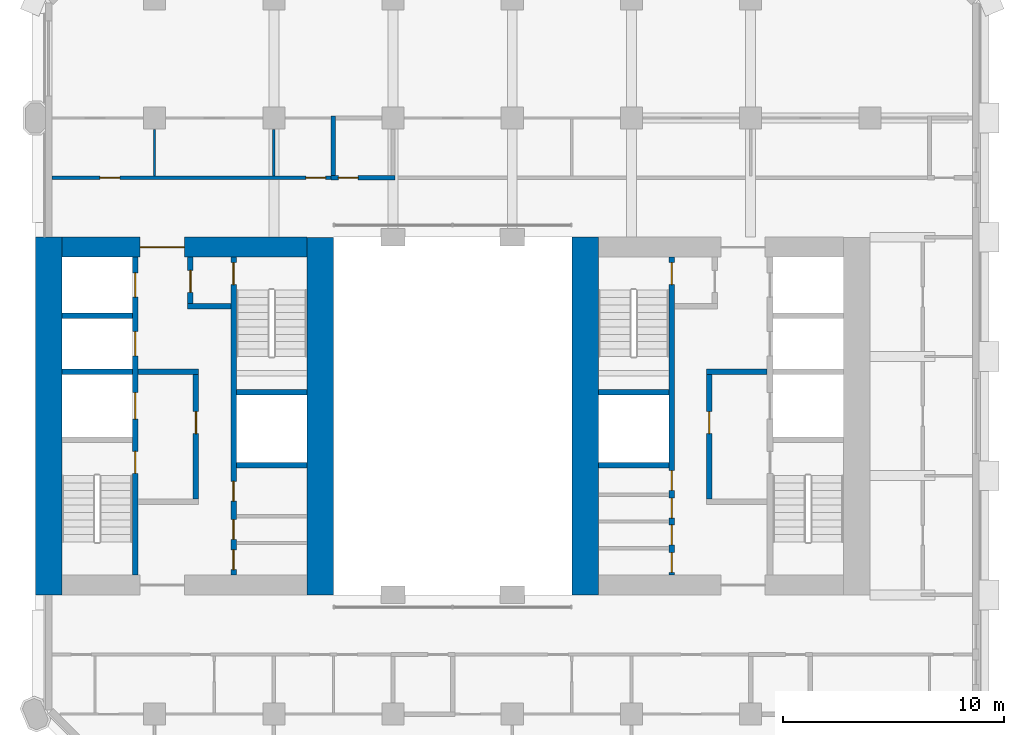
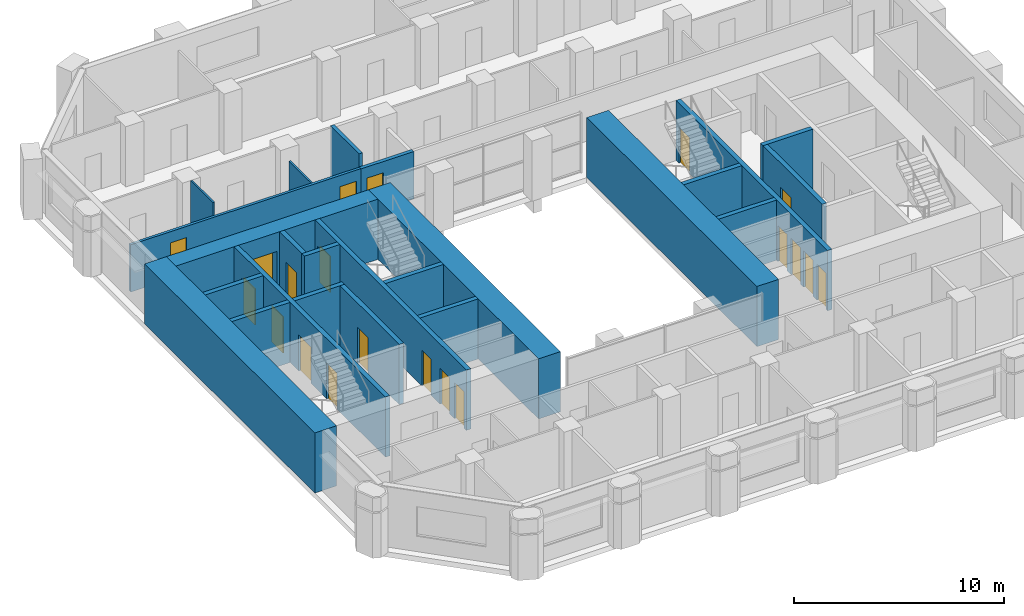
# One storey, part 5 of 11: 24 walls, 20 doors, 20 openings.
"""IFC4 building model written with IfcOpenShell, lengths in metres."""

from ifc_helpers import new_model, si_unit, direction, frame, frame_2d, origin, place, context, subcontext, project, spatial, rectangle, extrude, material, layer, layer_set, type_object, element, fill, save


model = new_model("IFC4")

# Units and contexts
model_context = context("Model", 3, precision=1e-05, world=origin(), true_north=direction((0.0, 1.0)))
body_context = subcontext(model_context, "Body", "Model", "MODEL_VIEW")
ifc_project = project(units=[si_unit("LENGTHUNIT", "METRE"), si_unit("AREAUNIT", "SQUARE_METRE"), si_unit("VOLUMEUNIT", "CUBIC_METRE"), si_unit("PLANEANGLEUNIT", "RADIAN"), si_unit("MASSUNIT", "GRAM", prefix="KILO")], contexts=[model_context])

# Site, building, storey
site_placement = place(None, origin())
site = spatial("IfcSite", under=ifc_project, at=site_placement, CompositionType="ELEMENT")
building_placement = place(site_placement, origin())
building = spatial("IfcBuilding", under=site, at=building_placement, Name="Tabaq Tower and Sports Hall", CompositionType="ELEMENT")
storey_placement = place(building_placement, frame((0.0, 0.0, 72.60009765625)))
storey = spatial("IfcBuildingStorey", under=building, at=storey_placement, Name="L16", CompositionType="ELEMENT", Elevation=72.60009765625)

# Walls
ifc_material_1 = material(Name="Concrete C60/75", Category="concrete")
ifc_layer_1 = layer(ifc_material_1, 1.199951171875)
ifc_layer_set_1 = layer_set([ifc_layer_1], Name="Core wall 1200 Concrete C60/75")
wall_type_1 = type_object("IfcWallType", Name="Core wall 1200 Concrete C60/75", PredefinedType="SOLIDWALL", material=ifc_layer_set_1)
for number, where, z_axis, x_axis, name in (
    (1, (6.0, 16.199951171875, 0.0), (0.0, 0.0, 1.0), (0.0, 1.0, 0.0), "Core wall W L16"),
    (2, (18.300048828125, 32.39990234375, 0.0), (0.0, 0.0, 1.0), (0.0, -1.0, 0.0), "Core wall W L16"),
    (3, (30.300048828125, 16.199951171875, 0.0), (0.0, 0.0, 1.0), (0.0, 1.0, 0.0), "Core wall E L16"),
):
    element("IfcWall", number, at=place(storey_placement, frame(where, z_axis=z_axis, x_axis=x_axis)), inside=storey, type_object=wall_type_1, Name=name, PredefinedType="SOLIDWALL", context=body_context, shape_type="SweptSolid", body=[
        extrude(rectangle(XDim=16.199951171875, YDim=1.199951171875, at=frame_2d((8.10009765625, 0.0))), origin(), (0.0, 0.0, 1.0), 3.5),
    ])

# Wall, opening, door
ifc_material_2 = material(Name="Concrete C60/75", Category="concrete")
ifc_layer_2 = layer(ifc_material_2, 0.89990234375)
ifc_layer_set_2 = layer_set([ifc_layer_2], Name="Core wall 900 Concrete C60/75")
wall_type_2 = type_object("IfcWallType", Name="Core wall 900 Concrete C60/75", PredefinedType="SOLIDWALL", material=ifc_layer_set_2)
wall_1_placement = place(storey_placement, frame((6.60009765625, 31.949951171875, 0.0), z_axis=(0.0, 0.0, 1.0), x_axis=(1.0, 0.0, 0.0)))
wall_1 = element("IfcWall", 4, at=wall_1_placement, inside=storey, type_object=wall_type_2, Name="Core wall W L16", PredefinedType="SOLIDWALL", context=body_context, shape_type="SweptSolid", body=[
    extrude(rectangle(XDim=11.099853515625, YDim=0.89990234375, at=frame_2d((5.5498046875, 0.0))), origin(), (0.0, 0.0, 1.0), 3.5),
])
opening_1_placement = place(wall_1_placement, frame((3.550048828125, 0.0, 0.0)))
opening_1 = element("IfcOpeningElement", 5, at=opening_1_placement, cuts=wall_1, Name="Opening PD-WL16-02", PredefinedType="OPENING", context=body_context, shape_type="SweptSolid", body=[
    extrude(rectangle(XDim=2.0, YDim=2.39990234375, at=frame_2d((1.0, 1.199951171875))), frame((0.0, 0.449951171875, 0.0), z_axis=(0.0, -1.0, 0.0), x_axis=(1.0, 0.0, 0.0)), (0.0, 0.0, 1.0), 0.89990234375),
])
ifc_material_3 = material(Name="Steel fire door", Category="steel")
door_type_1 = type_object("IfcDoorType", Name="Core entrance door 2000", OperationType="DOUBLE_DOOR_SINGLE_SWING", PredefinedType="DOOR", material=ifc_material_3)
door_1_placement = place(opening_1_placement, origin())
door_1 = element("IfcDoor", 6, at=door_1_placement, inside=storey, type_object=door_type_1, Name="Core entrance north W L16", OperationType="DOUBLE_DOOR_SINGLE_SWING", OverallHeight=2.39990234375, OverallWidth=2.0, PredefinedType="DOOR", context=body_context, shape_type="SweptSolid", body=[
    extrude(rectangle(XDim=2.0, YDim=2.39990234375, at=frame_2d((1.0, 1.199951171875))), frame((0.0, 0.02490234375, 0.0), z_axis=(0.0, -1.0, 0.0), x_axis=(1.0, 0.0, 0.0)), (0.0, 0.0, 1.0), 0.050048828125),
])
fill(opening_1, door_1)

ifc_material_4 = material(Name="Blockwork", Category="masonry")
ifc_layer_3 = layer(ifc_material_4, 0.199951171875)
ifc_layer_set_3 = layer_set([ifc_layer_3], Name="Fire compartment wall 200 Blockwork")
wall_type_3 = type_object("IfcWallType", Name="Fire compartment wall 200 Blockwork", PredefinedType="PARTITIONING", material=ifc_layer_set_3)
wall_2_placement = place(storey_placement, frame((21.699951171875, 35.10009765625, 0.0), z_axis=(0.0, 0.0, 1.0), x_axis=(-1.0, 0.0, 0.0)))
wall_2 = element("IfcWall", 7, at=wall_2_placement, inside=storey, type_object=wall_type_3, Name="Compartment wall L16", PredefinedType="PARTITIONING", context=body_context, shape_type="SweptSolid", body=[
    extrude(rectangle(XDim=2.89990234375, YDim=0.199951171875, at=frame_2d((1.449951171875, 0.0))), origin(), (0.0, 0.0, 1.0), 2.75),
])
opening_2_placement = place(wall_2_placement, frame((1.679931640625, 0.0, 0.0)))
opening_2 = element("IfcOpeningElement", 8, at=opening_2_placement, cuts=wall_2, Name="Opening L16-002", PredefinedType="OPENING", context=body_context, shape_type="SweptSolid", body=[
    extrude(rectangle(XDim=0.89990234375, YDim=2.10009765625, at=frame_2d((0.449951171875, 1.050048828125))), frame((0.0, 0.10009765625, 0.0), z_axis=(0.0, -1.0, 0.0), x_axis=(1.0, 0.0, 0.0)), (0.0, 0.0, 1.0), 0.199951171875),
])
ifc_material_5 = material(Name="Steel fire door", Category="steel")
door_type_2 = type_object("IfcDoorType", Name="Plant room door 900 right hand", OperationType="SINGLE_SWING_RIGHT", PredefinedType="DOOR", material=ifc_material_5)
door_2_placement = place(opening_2_placement, origin())
door_2 = element("IfcDoor", 9, at=door_2_placement, inside=storey, type_object=door_type_2, Name="Plant room door L16-002", OperationType="SINGLE_SWING_RIGHT", OverallHeight=2.10009765625, OverallWidth=0.89990234375, PredefinedType="DOOR", context=body_context, shape_type="SweptSolid", body=[
    extrude(rectangle(XDim=0.89990234375, YDim=2.10009765625, at=frame_2d((0.449951171875, 1.050048828125))), frame((0.0, 0.02490234375, 0.0), z_axis=(0.0, -1.0, 0.0), x_axis=(1.0, 0.0, 0.0)), (0.0, 0.0, 1.0), 0.050048828125),
])
fill(opening_2, door_2)

# Walls
wall_3_placement = place(storey_placement, frame((18.89990234375, 35.199951171875, 0.0), z_axis=(0.0, 0.0, 1.0), x_axis=(0.0, 1.0, 0.0)))
element("IfcWall", 10, at=wall_3_placement, inside=storey, type_object=wall_type_3, Name="Compartment wall L16", PredefinedType="PARTITIONING", context=body_context, shape_type="SweptSolid", body=[
    extrude(rectangle(XDim=2.699951171875, YDim=0.199951171875, at=frame_2d((1.35009765625, 0.0))), origin(), (0.0, 0.0, 1.0), 3.5),
])
ifc_material_6 = material(Name="Gypsum board on steel studs", Category="steel")
ifc_layer_4 = layer(ifc_material_6, 0.10009765625)
ifc_layer_set_4 = layer_set([ifc_layer_4], Name="Partition 100 Gypsum board")
wall_type_4 = type_object("IfcWallType", Name="Partition 100 Gypsum board", PredefinedType="PARTITIONING", material=ifc_layer_set_4)
wall_4_placement = place(storey_placement, frame((10.800048828125, 35.175048828125, 0.0), z_axis=(0.0, 0.0, 1.0), x_axis=(0.0, 1.0, 0.0)))
element("IfcWall", 11, at=wall_4_placement, inside=storey, type_object=wall_type_4, Name="Partition wall L16", PredefinedType="PARTITIONING", context=body_context, shape_type="SweptSolid", body=[
    extrude(rectangle(XDim=2.10498046875, YDim=0.10009765625, at=frame_2d((1.052490234375, 0.0))), origin(), (0.0, 0.0, 1.0), 3.5),
])
wall_5_placement = place(storey_placement, frame((16.199951171875, 35.175048828125, 0.0), z_axis=(0.0, 0.0, 1.0), x_axis=(0.0, 1.0, 0.0)))
element("IfcWall", 12, at=wall_5_placement, inside=storey, type_object=wall_type_4, Name="Partition wall L16", PredefinedType="PARTITIONING", context=body_context, shape_type="SweptSolid", body=[
    extrude(rectangle(XDim=2.10498046875, YDim=0.10009765625, at=frame_2d((1.052490234375, 0.0))), origin(), (0.0, 0.0, 1.0), 2.75),
])

# Wall, openings, doors
ifc_material_7 = material(Name="Blockwork", Category="masonry")
ifc_layer_5 = layer(ifc_material_7, 0.14990234375)
ifc_layer_set_5 = layer_set([ifc_layer_5], Name="Separating wall 150 Blockwork")
wall_type_5 = type_object("IfcWallType", Name="Separating wall 150 Blockwork", PredefinedType="PARTITIONING", material=ifc_layer_set_5)
wall_6_placement = place(storey_placement, frame((18.800048828125, 35.10009765625, 0.0), z_axis=(0.0, 0.0, 1.0), x_axis=(-1.0, 0.0, 0.0)))
wall_6 = element("IfcWall", 13, at=wall_6_placement, inside=storey, type_object=wall_type_5, Name="Separating wall L16", PredefinedType="PARTITIONING", context=body_context, shape_type="SweptSolid", body=[
    extrude(rectangle(XDim=12.649169921875, YDim=0.14990234375, at=frame_2d((6.32470703125, 0.0))), origin(), (0.0, 0.0, 1.0), 2.75),
])
opening_3_placement = place(wall_6_placement, frame((0.25, 0.0, 0.0)))
opening_3 = element("IfcOpeningElement", 14, at=opening_3_placement, cuts=wall_6, Name="Opening L16-001", PredefinedType="OPENING", context=body_context, shape_type="SweptSolid", body=[
    extrude(rectangle(XDim=0.89990234375, YDim=2.10009765625, at=frame_2d((0.449951171875, 1.050048828125))), frame((0.0, 0.074951171875, 0.0), z_axis=(0.0, -1.0, 0.0), x_axis=(1.0, 0.0, 0.0)), (0.0, 0.0, 1.0), 0.14990234375),
])
opening_4_placement = place(wall_6_placement, frame((9.574951171875, 0.0, 0.0)))
opening_4 = element("IfcOpeningElement", 15, at=opening_4_placement, cuts=wall_6, Name="Opening L16-028", PredefinedType="OPENING", context=body_context, shape_type="SweptSolid", body=[
    extrude(rectangle(XDim=0.89990234375, YDim=2.10009765625, at=frame_2d((0.449951171875, 1.050048828125))), frame((0.0, 0.074951171875, 0.0), z_axis=(0.0, -1.0, 0.0), x_axis=(1.0, 0.0, 0.0)), (0.0, 0.0, 1.0), 0.14990234375),
])
ifc_material_8 = material(Name="Steel fire door", Category="steel")
door_type_3 = type_object("IfcDoorType", Name="Entrance door 900 right hand", OperationType="SINGLE_SWING_RIGHT", PredefinedType="DOOR", material=ifc_material_8)
door_3_placement = place(opening_3_placement, origin())
door_3 = element("IfcDoor", 16, at=door_3_placement, inside=storey, type_object=door_type_3, Name="Entrance door L16-001", OperationType="SINGLE_SWING_RIGHT", OverallHeight=2.10009765625, OverallWidth=0.89990234375, PredefinedType="DOOR", context=body_context, shape_type="SweptSolid", body=[
    extrude(rectangle(XDim=0.89990234375, YDim=2.10009765625, at=frame_2d((0.449951171875, 1.050048828125))), frame((0.0, 0.02490234375, 0.0), z_axis=(0.0, -1.0, 0.0), x_axis=(1.0, 0.0, 0.0)), (0.0, 0.0, 1.0), 0.050048828125),
])
fill(opening_3, door_3)
door_4_placement = place(opening_4_placement, origin())
door_4 = element("IfcDoor", 17, at=door_4_placement, inside=storey, type_object=door_type_3, Name="Entrance door L16-028", OperationType="SINGLE_SWING_RIGHT", OverallHeight=2.10009765625, OverallWidth=0.89990234375, PredefinedType="DOOR", context=body_context, shape_type="SweptSolid", body=[
    extrude(rectangle(XDim=0.89990234375, YDim=2.10009765625, at=frame_2d((0.449951171875, 1.050048828125))), frame((0.0, 0.02490234375, 0.0), z_axis=(0.0, -1.0, 0.0), x_axis=(1.0, 0.0, 0.0)), (0.0, 0.0, 1.0), 0.050048828125),
])
fill(opening_4, door_4)

ifc_material_9 = material(Name="Concrete C40/50", Category="concrete")
ifc_layer_6 = layer(ifc_material_9, 0.25)
ifc_layer_set_6 = layer_set([ifc_layer_6], Name="Shaft and stair wall 250 Concrete C40/50")
wall_type_6 = type_object("IfcWallType", Name="Shaft and stair wall 250 Concrete C40/50", PredefinedType="SOLIDWALL", material=ifc_layer_set_6)
wall_7_placement = place(storey_placement, frame((9.925048828125, 17.10009765625, 0.0), z_axis=(0.0, 0.0, 1.0), x_axis=(0.0, 1.0, 0.0)))
wall_7 = element("IfcWall", 18, at=wall_7_placement, inside=storey, type_object=wall_type_6, Name="Shaft wall W L16", PredefinedType="SOLIDWALL", context=body_context, shape_type="SweptSolid", body=[
    extrude(rectangle(XDim=14.39990234375, YDim=0.25, at=frame_2d((7.199951171875, 0.0))), origin(), (0.0, 0.0, 1.0), 3.5),
])
opening_5_placement = place(wall_7_placement, frame((4.60009765625, 0.0, 0.0)))
opening_5 = element("IfcOpeningElement", 19, at=opening_5_placement, cuts=wall_7, Name="Opening SD-WL16-03", PredefinedType="OPENING", context=body_context, shape_type="SweptSolid", body=[
    extrude(rectangle(XDim=1.0, YDim=2.10009765625, at=frame_2d((0.5, 1.050048828125))), frame((0.0, 0.125, 0.0), z_axis=(0.0, -1.0, 0.0), x_axis=(1.0, 0.0, 0.0)), (0.0, 0.0, 1.0), 0.25),
])
opening_6_placement = place(wall_7_placement, frame((7.0625, 0.0, 0.0)))
opening_6 = element("IfcOpeningElement", 20, at=opening_6_placement, cuts=wall_7, Name="Opening LD-FF1-L16", PredefinedType="OPENING", context=body_context, shape_type="SweptSolid", body=[
    extrude(rectangle(XDim=1.199951171875, YDim=2.10009765625, at=frame_2d((0.60009765625, 1.050048828125))), frame((0.0, 0.125, 0.0), z_axis=(0.0, -1.0, 0.0), x_axis=(1.0, 0.0, 0.0)), (0.0, 0.0, 1.0), 0.25),
])
opening_7_placement = place(wall_7_placement, frame((9.925048828125, 0.0, 0.0)))
opening_7 = element("IfcOpeningElement", 21, at=opening_7_placement, cuts=wall_7, Name="Opening LD-LR1-L16", PredefinedType="OPENING", context=body_context, shape_type="SweptSolid", body=[
    extrude(rectangle(XDim=1.10009765625, YDim=2.10009765625, at=frame_2d((0.550048828125, 1.050048828125))), frame((0.0, 0.125, 0.0), z_axis=(0.0, -1.0, 0.0), x_axis=(1.0, 0.0, 0.0)), (0.0, 0.0, 1.0), 0.25),
])
opening_8_placement = place(wall_7_placement, frame((12.58740234375, 0.0, 0.0)))
opening_8 = element("IfcOpeningElement", 22, at=opening_8_placement, cuts=wall_7, Name="Opening LD-LR2-L16", PredefinedType="OPENING", context=body_context, shape_type="SweptSolid", body=[
    extrude(rectangle(XDim=1.10009765625, YDim=2.10009765625, at=frame_2d((0.550048828125, 1.050048828125))), frame((0.0, 0.125, 0.0), z_axis=(0.0, -1.0, 0.0), x_axis=(1.0, 0.0, 0.0)), (0.0, 0.0, 1.0), 0.25),
])
ifc_material_10 = material(Name="Stainless steel", Category="steel")
door_type_4 = type_object("IfcDoorType", Name="Lift landing door 1100", OperationType="DOUBLE_DOOR_SLIDING", PredefinedType="DOOR", material=ifc_material_10)
door_5_placement = place(opening_7_placement, origin())
door_5 = element("IfcDoor", 23, at=door_5_placement, inside=storey, type_object=door_type_4, Name="Lift landing door LR1 W L16", OperationType="DOUBLE_DOOR_SLIDING", OverallHeight=2.10009765625, OverallWidth=1.10009765625, PredefinedType="DOOR", context=body_context, shape_type="SweptSolid", body=[
    extrude(rectangle(XDim=1.10009765625, YDim=2.10009765625, at=frame_2d((0.550048828125, 1.050048828125))), frame((0.0, 0.02490234375, 0.0), z_axis=(0.0, -1.0, 0.0), x_axis=(1.0, 0.0, 0.0)), (0.0, 0.0, 1.0), 0.050048828125),
])
fill(opening_7, door_5)
door_6_placement = place(opening_8_placement, origin())
door_6 = element("IfcDoor", 24, at=door_6_placement, inside=storey, type_object=door_type_4, Name="Lift landing door LR2 W L16", OperationType="DOUBLE_DOOR_SLIDING", OverallHeight=2.10009765625, OverallWidth=1.10009765625, PredefinedType="DOOR", context=body_context, shape_type="SweptSolid", body=[
    extrude(rectangle(XDim=1.10009765625, YDim=2.10009765625, at=frame_2d((0.550048828125, 1.050048828125))), frame((0.0, 0.02490234375, 0.0), z_axis=(0.0, -1.0, 0.0), x_axis=(1.0, 0.0, 0.0)), (0.0, 0.0, 1.0), 0.050048828125),
])
fill(opening_8, door_6)
ifc_material_11 = material(Name="Stainless steel", Category="steel")
door_type_5 = type_object("IfcDoorType", Name="Lift landing door 1200", OperationType="DOUBLE_DOOR_SLIDING", PredefinedType="DOOR", material=ifc_material_11)
door_7_placement = place(opening_6_placement, origin())
door_7 = element("IfcDoor", 25, at=door_7_placement, inside=storey, type_object=door_type_5, Name="Lift landing door FF1 W L16", OperationType="DOUBLE_DOOR_SLIDING", OverallHeight=2.10009765625, OverallWidth=1.199951171875, PredefinedType="DOOR", context=body_context, shape_type="SweptSolid", body=[
    extrude(rectangle(XDim=1.199951171875, YDim=2.10009765625, at=frame_2d((0.60009765625, 1.050048828125))), frame((0.0, 0.02490234375, 0.0), z_axis=(0.0, -1.0, 0.0), x_axis=(1.0, 0.0, 0.0)), (0.0, 0.0, 1.0), 0.050048828125),
])
fill(opening_6, door_7)
ifc_material_12 = material(Name="Steel fire door", Category="steel")
door_type_6 = type_object("IfcDoorType", Name="Stair door 1000", OperationType="SINGLE_SWING_LEFT", PredefinedType="DOOR", material=ifc_material_12)
door_8_placement = place(opening_5_placement, origin())
door_8 = element("IfcDoor", 26, at=door_8_placement, inside=storey, type_object=door_type_6, Name="Stair door ST1 W L16", OperationType="SINGLE_SWING_LEFT", OverallHeight=2.10009765625, OverallWidth=1.0, PredefinedType="DOOR", context=body_context, shape_type="SweptSolid", body=[
    extrude(rectangle(XDim=1.0, YDim=2.10009765625, at=frame_2d((0.5, 1.050048828125))), frame((0.0, 0.02490234375, 0.0), z_axis=(0.0, -1.0, 0.0), x_axis=(1.0, 0.0, 0.0)), (0.0, 0.0, 1.0), 0.050048828125),
])
fill(opening_5, door_8)

wall_8_placement = place(storey_placement, frame((14.375, 17.10009765625, 0.0), z_axis=(0.0, 0.0, 1.0), x_axis=(0.0, 1.0, 0.0)))
wall_8 = element("IfcWall", 27, at=wall_8_placement, inside=storey, type_object=wall_type_6, Name="Shaft wall W L16", PredefinedType="SOLIDWALL", context=body_context, shape_type="SweptSolid", body=[
    extrude(rectangle(XDim=14.39990234375, YDim=0.25, at=frame_2d((7.199951171875, 0.0))), origin(), (0.0, 0.0, 1.0), 3.5),
])
opening_9_placement = place(wall_8_placement, frame((13.14990234375, 0.0, 0.0)))
opening_9 = element("IfcOpeningElement", 28, at=opening_9_placement, cuts=wall_8, Name="Opening SD-WL16-05", PredefinedType="OPENING", context=body_context, shape_type="SweptSolid", body=[
    extrude(rectangle(XDim=1.0, YDim=2.10009765625, at=frame_2d((0.5, 1.050048828125))), frame((0.0, 0.125, 0.0), z_axis=(0.0, -1.0, 0.0), x_axis=(1.0, 0.0, 0.0)), (0.0, 0.0, 1.0), 0.25),
])
opening_10_placement = place(wall_8_placement, frame((0.239990234375, 0.0, 0.0)))
opening_10 = element("IfcOpeningElement", 29, at=opening_10_placement, cuts=wall_8, Name="Opening RD-WL16-10", PredefinedType="OPENING", context=body_context, shape_type="SweptSolid", body=[
    extrude(rectangle(XDim=0.89990234375, YDim=2.10009765625, at=frame_2d((0.449951171875, 1.050048828125))), frame((0.0, 0.125, 0.0), z_axis=(0.0, -1.0, 0.0), x_axis=(1.0, 0.0, 0.0)), (0.0, 0.0, 1.0), 0.25),
])
opening_11_placement = place(wall_8_placement, frame((1.611083984375, 0.0, 0.0)))
opening_11 = element("IfcOpeningElement", 30, at=opening_11_placement, cuts=wall_8, Name="Opening RD-WL16-11", PredefinedType="OPENING", context=body_context, shape_type="SweptSolid", body=[
    extrude(rectangle(XDim=0.89990234375, YDim=2.10009765625, at=frame_2d((0.449951171875, 1.050048828125))), frame((0.0, 0.125, 0.0), z_axis=(0.0, -1.0, 0.0), x_axis=(1.0, 0.0, 0.0)), (0.0, 0.0, 1.0), 0.25),
])
opening_12_placement = place(wall_8_placement, frame((3.345947265625, 0.0, 0.0)))
opening_12 = element("IfcOpeningElement", 31, at=opening_12_placement, cuts=wall_8, Name="Opening RD-WL16-12", PredefinedType="OPENING", context=body_context, shape_type="SweptSolid", body=[
    extrude(rectangle(XDim=0.89990234375, YDim=2.10009765625, at=frame_2d((0.449951171875, 1.050048828125))), frame((0.0, 0.125, 0.0), z_axis=(0.0, -1.0, 0.0), x_axis=(1.0, 0.0, 0.0)), (0.0, 0.0, 1.0), 0.25),
])
ifc_material_13 = material(Name="Steel fire door", Category="steel")
door_type_7 = type_object("IfcDoorType", Name="Core room door 900", OperationType="SINGLE_SWING_LEFT", PredefinedType="DOOR", material=ifc_material_13)
door_9_placement = place(opening_10_placement, origin())
door_9 = element("IfcDoor", 32, at=door_9_placement, inside=storey, type_object=door_type_7, Name="Door Accessible WC W L16", OperationType="SINGLE_SWING_LEFT", OverallHeight=2.10009765625, OverallWidth=0.89990234375, PredefinedType="DOOR", context=body_context, shape_type="SweptSolid", body=[
    extrude(rectangle(XDim=0.89990234375, YDim=2.10009765625, at=frame_2d((0.449951171875, 1.050048828125))), frame((0.0, 0.02490234375, 0.0), z_axis=(0.0, -1.0, 0.0), x_axis=(1.0, 0.0, 0.0)), (0.0, 0.0, 1.0), 0.050048828125),
])
fill(opening_10, door_9)
door_10_placement = place(opening_11_placement, origin())
door_10 = element("IfcDoor", 33, at=door_10_placement, inside=storey, type_object=door_type_7, Name="Door Electrical Riser Room W L16", OperationType="SINGLE_SWING_LEFT", OverallHeight=2.10009765625, OverallWidth=0.89990234375, PredefinedType="DOOR", context=body_context, shape_type="SweptSolid", body=[
    extrude(rectangle(XDim=0.89990234375, YDim=2.10009765625, at=frame_2d((0.449951171875, 1.050048828125))), frame((0.0, 0.02490234375, 0.0), z_axis=(0.0, -1.0, 0.0), x_axis=(1.0, 0.0, 0.0)), (0.0, 0.0, 1.0), 0.050048828125),
])
fill(opening_11, door_10)
door_11_placement = place(opening_12_placement, origin())
door_11 = element("IfcDoor", 34, at=door_11_placement, inside=storey, type_object=door_type_7, Name="Door Unisex WC W L16", OperationType="SINGLE_SWING_LEFT", OverallHeight=2.10009765625, OverallWidth=0.89990234375, PredefinedType="DOOR", context=body_context, shape_type="SweptSolid", body=[
    extrude(rectangle(XDim=0.89990234375, YDim=2.10009765625, at=frame_2d((0.449951171875, 1.050048828125))), frame((0.0, 0.02490234375, 0.0), z_axis=(0.0, -1.0, 0.0), x_axis=(1.0, 0.0, 0.0)), (0.0, 0.0, 1.0), 0.050048828125),
])
fill(opening_12, door_11)
door_12_placement = place(opening_9_placement, origin())
door_12 = element("IfcDoor", 35, at=door_12_placement, inside=storey, type_object=door_type_6, Name="Stair door ST2 W L16", OperationType="SINGLE_SWING_LEFT", OverallHeight=2.10009765625, OverallWidth=1.0, PredefinedType="DOOR", context=body_context, shape_type="SweptSolid", body=[
    extrude(rectangle(XDim=1.0, YDim=2.10009765625, at=frame_2d((0.5, 1.050048828125))), frame((0.0, 0.02490234375, 0.0), z_axis=(0.0, -1.0, 0.0), x_axis=(1.0, 0.0, 0.0)), (0.0, 0.0, 1.0), 0.050048828125),
])
fill(opening_9, door_12)

# Walls
for number, where, z_axis, x_axis, name in (
    (36, (14.5, 25.375, 0.0), (0.0, 0.0, 1.0), (1.0, 0.0, 0.0), "Stair enclosure wall W L16"),
    (37, (14.5, 22.074951171875, 0.0), (0.0, 0.0, 1.0), (1.0, 0.0, 0.0), "Shaft wall W L16"),
    (38, (6.60009765625, 26.300048828125, 0.0), (0.0, 0.0, 1.0), (1.0, 0.0, 0.0), "Shaft wall W L16"),
):
    element("IfcWall", number, at=place(storey_placement, frame(where, z_axis=z_axis, x_axis=x_axis)), inside=storey, type_object=wall_type_6, Name=name, PredefinedType="SOLIDWALL", context=body_context, shape_type="SweptSolid", body=[
        extrude(rectangle(XDim=3.199951171875, YDim=0.25, at=frame_2d((1.60009765625, 0.0))), origin(), (0.0, 0.0, 1.0), 3.5),
    ])
wall_9_placement = place(storey_placement, frame((10.050048828125, 26.300048828125, 0.0), z_axis=(0.0, 0.0, 1.0), x_axis=(1.0, 0.0, 0.0)))
element("IfcWall", 39, at=wall_9_placement, inside=storey, type_object=wall_type_6, Name="Fire-fighting lobby wall W L16", PredefinedType="SOLIDWALL", context=body_context, shape_type="SweptSolid", body=[
    extrude(rectangle(XDim=2.75, YDim=0.25, at=frame_2d((1.375, 0.0))), origin(), (0.0, 0.0, 1.0), 3.5),
])

# Wall, opening, door
wall_10_placement = place(storey_placement, frame((12.425048828125, 29.39990234375, 0.0), z_axis=(0.0, 0.0, 1.0), x_axis=(0.0, 1.0, 0.0)))
wall_10 = element("IfcWall", 40, at=wall_10_placement, inside=storey, type_object=wall_type_6, Name="Fire-fighting lobby wall W L16", PredefinedType="SOLIDWALL", context=body_context, shape_type="SweptSolid", body=[
    extrude(rectangle(XDim=2.10009765625, YDim=0.25, at=frame_2d((1.050048828125, 0.0))), origin(), (0.0, 0.0, 1.0), 3.5),
])
opening_13_placement = place(wall_10_placement, frame((0.5, 0.0, 0.0)))
opening_13 = element("IfcOpeningElement", 41, at=opening_13_placement, cuts=wall_10, Name="Opening FD-WL16-06", PredefinedType="OPENING", context=body_context, shape_type="SweptSolid", body=[
    extrude(rectangle(XDim=1.0, YDim=2.10009765625, at=frame_2d((0.5, 1.050048828125))), frame((0.0, 0.125, 0.0), z_axis=(0.0, -1.0, 0.0), x_axis=(1.0, 0.0, 0.0)), (0.0, 0.0, 1.0), 0.25),
])
ifc_material_14 = material(Name="Steel fire door", Category="steel")
door_type_8 = type_object("IfcDoorType", Name="Fire-fighting lobby door 1000", OperationType="SINGLE_SWING_LEFT", PredefinedType="DOOR", material=ifc_material_14)
door_13_placement = place(opening_13_placement, origin())
door_13 = element("IfcDoor", 42, at=door_13_placement, inside=storey, type_object=door_type_8, Name="Stair lobby door W L16", OperationType="SINGLE_SWING_LEFT", OverallHeight=2.10009765625, OverallWidth=1.0, PredefinedType="DOOR", context=body_context, shape_type="SweptSolid", body=[
    extrude(rectangle(XDim=1.0, YDim=2.10009765625, at=frame_2d((0.5, 1.050048828125))), frame((0.0, 0.02490234375, 0.0), z_axis=(0.0, -1.0, 0.0), x_axis=(1.0, 0.0, 0.0)), (0.0, 0.0, 1.0), 0.050048828125),
])
fill(opening_13, door_13)

# Wall
wall_11_placement = place(storey_placement, frame((12.300048828125, 29.27490234375, 0.0), z_axis=(0.0, 0.0, 1.0), x_axis=(1.0, 0.0, 0.0)))
element("IfcWall", 43, at=wall_11_placement, inside=storey, type_object=wall_type_6, Name="Fire-fighting lobby wall W L16", PredefinedType="SOLIDWALL", context=body_context, shape_type="SweptSolid", body=[
    extrude(rectangle(XDim=1.949951171875, YDim=0.25, at=frame_2d((0.97509765625, 0.0))), origin(), (0.0, 0.0, 1.0), 3.5),
])

# Wall, opening, door
wall_12_placement = place(storey_placement, frame((12.675048828125, 20.550048828125, 0.0), z_axis=(0.0, 0.0, 1.0), x_axis=(0.0, 1.0, 0.0)))
wall_12 = element("IfcWall", 44, at=wall_12_placement, inside=storey, type_object=wall_type_6, Name="Fire-fighting lobby wall W L16", PredefinedType="SOLIDWALL", context=body_context, shape_type="SweptSolid", body=[
    extrude(rectangle(XDim=5.625, YDim=0.25, at=frame_2d((2.8125, 0.0))), origin(), (0.0, 0.0, 1.0), 3.5),
])
opening_14_placement = place(wall_12_placement, frame((2.949951171875, 0.0, 0.0)))
opening_14 = element("IfcOpeningElement", 45, at=opening_14_placement, cuts=wall_12, Name="Opening FD-WL16-04", PredefinedType="OPENING", context=body_context, shape_type="SweptSolid", body=[
    extrude(rectangle(XDim=1.0, YDim=2.10009765625, at=frame_2d((0.5, 1.050048828125))), frame((0.0, 0.125, 0.0), z_axis=(0.0, -1.0, 0.0), x_axis=(1.0, 0.0, 0.0)), (0.0, 0.0, 1.0), 0.25),
])
door_14_placement = place(opening_14_placement, origin())
door_14 = element("IfcDoor", 46, at=door_14_placement, inside=storey, type_object=door_type_8, Name="Fire-fighting lobby door W L16", OperationType="SINGLE_SWING_LEFT", OverallHeight=2.10009765625, OverallWidth=1.0, PredefinedType="DOOR", context=body_context, shape_type="SweptSolid", body=[
    extrude(rectangle(XDim=1.0, YDim=2.10009765625, at=frame_2d((0.5, 1.050048828125))), frame((0.0, 0.02490234375, 0.0), z_axis=(0.0, -1.0, 0.0), x_axis=(1.0, 0.0, 0.0)), (0.0, 0.0, 1.0), 0.050048828125),
])
fill(opening_14, door_14)

# Wall
wall_13_placement = place(storey_placement, frame((6.60009765625, 28.85009765625, 0.0), z_axis=(0.0, 0.0, 1.0), x_axis=(1.0, 0.0, 0.0)))
element("IfcWall", 47, at=wall_13_placement, inside=storey, type_object=wall_type_6, Name="Shaft wall W L16", PredefinedType="SOLIDWALL", context=body_context, shape_type="SweptSolid", body=[
    extrude(rectangle(XDim=3.199951171875, YDim=0.25, at=frame_2d((1.60009765625, 0.0))), origin(), (0.0, 0.0, 1.0), 3.5),
])

# Wall, openings, doors
wall_14_placement = place(storey_placement, frame((34.22509765625, 17.10009765625, 0.0), z_axis=(0.0, 0.0, 1.0), x_axis=(0.0, 1.0, 0.0)))
wall_14 = element("IfcWall", 48, at=wall_14_placement, inside=storey, type_object=wall_type_6, Name="Shaft wall E L16", PredefinedType="SOLIDWALL", context=body_context, shape_type="SweptSolid", body=[
    extrude(rectangle(XDim=14.39990234375, YDim=0.25, at=frame_2d((7.199951171875, 0.0))), origin(), (0.0, 0.0, 1.0), 3.5),
])
opening_15_placement = place(wall_14_placement, frame((13.14990234375, 0.0, 0.0)))
opening_15 = element("IfcOpeningElement", 49, at=opening_15_placement, cuts=wall_14, Name="Opening SD-EL16-05", PredefinedType="OPENING", context=body_context, shape_type="SweptSolid", body=[
    extrude(rectangle(XDim=1.0, YDim=2.10009765625, at=frame_2d((0.5, 1.050048828125))), frame((0.0, 0.125, 0.0), z_axis=(0.0, -1.0, 0.0), x_axis=(1.0, 0.0, 0.0)), (0.0, 0.0, 1.0), 0.25),
])
opening_16_placement = place(wall_14_placement, frame((0.118408203125, 0.0, 0.0)))
opening_16 = element("IfcOpeningElement", 50, at=opening_16_placement, cuts=wall_14, Name="Opening RD-EL16-10", PredefinedType="OPENING", context=body_context, shape_type="SweptSolid", body=[
    extrude(rectangle(XDim=0.89990234375, YDim=2.10009765625, at=frame_2d((0.449951171875, 1.050048828125))), frame((0.0, 0.125, 0.0), z_axis=(0.0, -1.0, 0.0), x_axis=(1.0, 0.0, 0.0)), (0.0, 0.0, 1.0), 0.25),
])
opening_17_placement = place(wall_14_placement, frame((1.368408203125, 0.0, 0.0)))
opening_17 = element("IfcOpeningElement", 51, at=opening_17_placement, cuts=wall_14, Name="Opening RD-EL16-11", PredefinedType="OPENING", context=body_context, shape_type="SweptSolid", body=[
    extrude(rectangle(XDim=0.89990234375, YDim=2.10009765625, at=frame_2d((0.449951171875, 1.050048828125))), frame((0.0, 0.125, 0.0), z_axis=(0.0, -1.0, 0.0), x_axis=(1.0, 0.0, 0.0)), (0.0, 0.0, 1.0), 0.25),
])
opening_18_placement = place(wall_14_placement, frame((2.5810546875, 0.0, 0.0)))
opening_18 = element("IfcOpeningElement", 52, at=opening_18_placement, cuts=wall_14, Name="Opening RD-EL16-12", PredefinedType="OPENING", context=body_context, shape_type="SweptSolid", body=[
    extrude(rectangle(XDim=0.89990234375, YDim=2.10009765625, at=frame_2d((0.449951171875, 1.050048828125))), frame((0.0, 0.125, 0.0), z_axis=(0.0, -1.0, 0.0), x_axis=(1.0, 0.0, 0.0)), (0.0, 0.0, 1.0), 0.25),
])
opening_19_placement = place(wall_14_placement, frame((3.8310546875, 0.0, 0.0)))
opening_19 = element("IfcOpeningElement", 53, at=opening_19_placement, cuts=wall_14, Name="Opening RD-EL16-13", PredefinedType="OPENING", context=body_context, shape_type="SweptSolid", body=[
    extrude(rectangle(XDim=0.89990234375, YDim=2.10009765625, at=frame_2d((0.449951171875, 1.050048828125))), frame((0.0, 0.125, 0.0), z_axis=(0.0, -1.0, 0.0), x_axis=(1.0, 0.0, 0.0)), (0.0, 0.0, 1.0), 0.25),
])
door_15_placement = place(opening_16_placement, origin())
door_15 = element("IfcDoor", 54, at=door_15_placement, inside=storey, type_object=door_type_7, Name="Door Cleaner's Store E L16", OperationType="SINGLE_SWING_LEFT", OverallHeight=2.10009765625, OverallWidth=0.89990234375, PredefinedType="DOOR", context=body_context, shape_type="SweptSolid", body=[
    extrude(rectangle(XDim=0.89990234375, YDim=2.10009765625, at=frame_2d((0.449951171875, 1.050048828125))), frame((0.0, 0.02490234375, 0.0), z_axis=(0.0, -1.0, 0.0), x_axis=(1.0, 0.0, 0.0)), (0.0, 0.0, 1.0), 0.050048828125),
])
fill(opening_16, door_15)
door_16_placement = place(opening_17_placement, origin())
door_16 = element("IfcDoor", 55, at=door_16_placement, inside=storey, type_object=door_type_7, Name="Door Gents WC E L16", OperationType="SINGLE_SWING_LEFT", OverallHeight=2.10009765625, OverallWidth=0.89990234375, PredefinedType="DOOR", context=body_context, shape_type="SweptSolid", body=[
    extrude(rectangle(XDim=0.89990234375, YDim=2.10009765625, at=frame_2d((0.449951171875, 1.050048828125))), frame((0.0, 0.02490234375, 0.0), z_axis=(0.0, -1.0, 0.0), x_axis=(1.0, 0.0, 0.0)), (0.0, 0.0, 1.0), 0.050048828125),
])
fill(opening_17, door_16)
door_17_placement = place(opening_18_placement, origin())
door_17 = element("IfcDoor", 56, at=door_17_placement, inside=storey, type_object=door_type_7, Name="Door Ladies WC E L16", OperationType="SINGLE_SWING_LEFT", OverallHeight=2.10009765625, OverallWidth=0.89990234375, PredefinedType="DOOR", context=body_context, shape_type="SweptSolid", body=[
    extrude(rectangle(XDim=0.89990234375, YDim=2.10009765625, at=frame_2d((0.449951171875, 1.050048828125))), frame((0.0, 0.02490234375, 0.0), z_axis=(0.0, -1.0, 0.0), x_axis=(1.0, 0.0, 0.0)), (0.0, 0.0, 1.0), 0.050048828125),
])
fill(opening_18, door_17)
door_18_placement = place(opening_19_placement, origin())
door_18 = element("IfcDoor", 57, at=door_18_placement, inside=storey, type_object=door_type_7, Name="Door Accessible WC E L16", OperationType="SINGLE_SWING_LEFT", OverallHeight=2.10009765625, OverallWidth=0.89990234375, PredefinedType="DOOR", context=body_context, shape_type="SweptSolid", body=[
    extrude(rectangle(XDim=0.89990234375, YDim=2.10009765625, at=frame_2d((0.449951171875, 1.050048828125))), frame((0.0, 0.02490234375, 0.0), z_axis=(0.0, -1.0, 0.0), x_axis=(1.0, 0.0, 0.0)), (0.0, 0.0, 1.0), 0.050048828125),
])
fill(opening_19, door_18)
door_19_placement = place(opening_15_placement, origin())
door_19 = element("IfcDoor", 58, at=door_19_placement, inside=storey, type_object=door_type_6, Name="Stair door ST4 E L16", OperationType="SINGLE_SWING_LEFT", OverallHeight=2.10009765625, OverallWidth=1.0, PredefinedType="DOOR", context=body_context, shape_type="SweptSolid", body=[
    extrude(rectangle(XDim=1.0, YDim=2.10009765625, at=frame_2d((0.5, 1.050048828125))), frame((0.0, 0.02490234375, 0.0), z_axis=(0.0, -1.0, 0.0), x_axis=(1.0, 0.0, 0.0)), (0.0, 0.0, 1.0), 0.050048828125),
])
fill(opening_15, door_19)

# Walls
for number, where, z_axis, x_axis, name in (
    (59, (30.89990234375, 25.375, 0.0), (0.0, 0.0, 1.0), (1.0, 0.0, 0.0), "Stair enclosure wall E L16"),
    (60, (30.89990234375, 22.074951171875, 0.0), (0.0, 0.0, 1.0), (1.0, 0.0, 0.0), "Shaft wall E L16"),
):
    element("IfcWall", number, at=place(storey_placement, frame(where, z_axis=z_axis, x_axis=x_axis)), inside=storey, type_object=wall_type_6, Name=name, PredefinedType="SOLIDWALL", context=body_context, shape_type="SweptSolid", body=[
        extrude(rectangle(XDim=3.2001953125, YDim=0.25, at=frame_2d((1.60009765625, 0.0))), origin(), (0.0, 0.0, 1.0), 3.5),
    ])
wall_15_placement = place(storey_placement, frame((35.800048828125, 26.300048828125, 0.0), z_axis=(0.0, 0.0, 1.0), x_axis=(1.0, 0.0, 0.0)))
element("IfcWall", 61, at=wall_15_placement, inside=storey, type_object=wall_type_6, Name="Fire-fighting lobby wall E L16", PredefinedType="SOLIDWALL", context=body_context, shape_type="SweptSolid", body=[
    extrude(rectangle(XDim=2.75, YDim=0.25, at=frame_2d((1.375, 0.0))), origin(), (0.0, 0.0, 1.0), 3.5),
])

# Wall, opening, door
wall_16_placement = place(storey_placement, frame((35.925048828125, 20.550048828125, 0.0), z_axis=(0.0, 0.0, 1.0), x_axis=(0.0, 1.0, 0.0)))
wall_16 = element("IfcWall", 62, at=wall_16_placement, inside=storey, type_object=wall_type_6, Name="Fire-fighting lobby wall E L16", PredefinedType="SOLIDWALL", context=body_context, shape_type="SweptSolid", body=[
    extrude(rectangle(XDim=5.625, YDim=0.25, at=frame_2d((2.8125, 0.0))), origin(), (0.0, 0.0, 1.0), 3.5),
])
opening_20_placement = place(wall_16_placement, frame((2.949951171875, 0.0, 0.0)))
opening_20 = element("IfcOpeningElement", 63, at=opening_20_placement, cuts=wall_16, Name="Opening FD-EL16-04", PredefinedType="OPENING", context=body_context, shape_type="SweptSolid", body=[
    extrude(rectangle(XDim=1.0, YDim=2.10009765625, at=frame_2d((0.5, 1.050048828125))), frame((0.0, 0.125, 0.0), z_axis=(0.0, -1.0, 0.0), x_axis=(1.0, 0.0, 0.0)), (0.0, 0.0, 1.0), 0.25),
])
door_20_placement = place(opening_20_placement, origin())
door_20 = element("IfcDoor", 64, at=door_20_placement, inside=storey, type_object=door_type_8, Name="Fire-fighting lobby door E L16", OperationType="SINGLE_SWING_LEFT", OverallHeight=2.10009765625, OverallWidth=1.0, PredefinedType="DOOR", context=body_context, shape_type="SweptSolid", body=[
    extrude(rectangle(XDim=1.0, YDim=2.10009765625, at=frame_2d((0.5, 1.050048828125))), frame((0.0, 0.02490234375, 0.0), z_axis=(0.0, -1.0, 0.0), x_axis=(1.0, 0.0, 0.0)), (0.0, 0.0, 1.0), 0.050048828125),
])
fill(opening_20, door_20)

save(model, "model.ifc")
